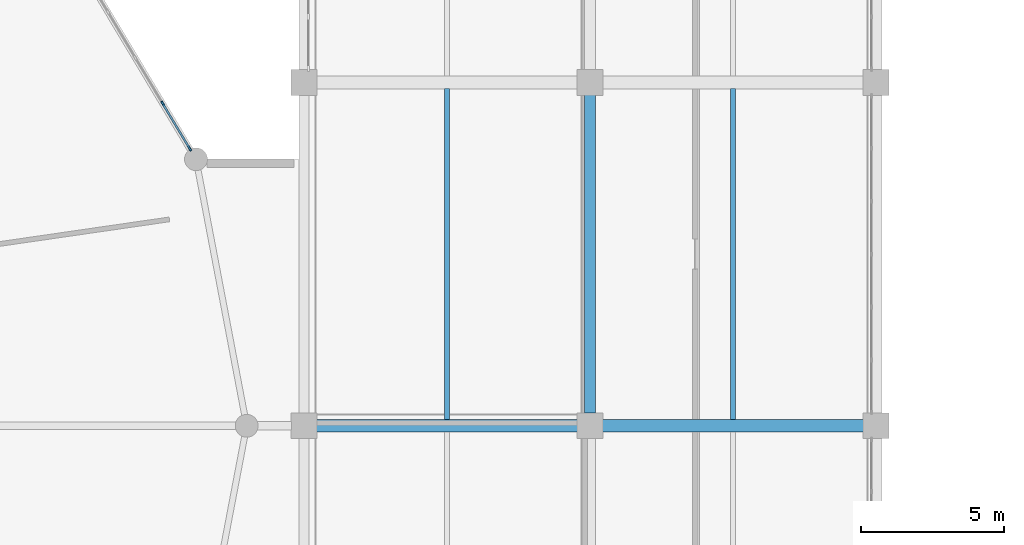
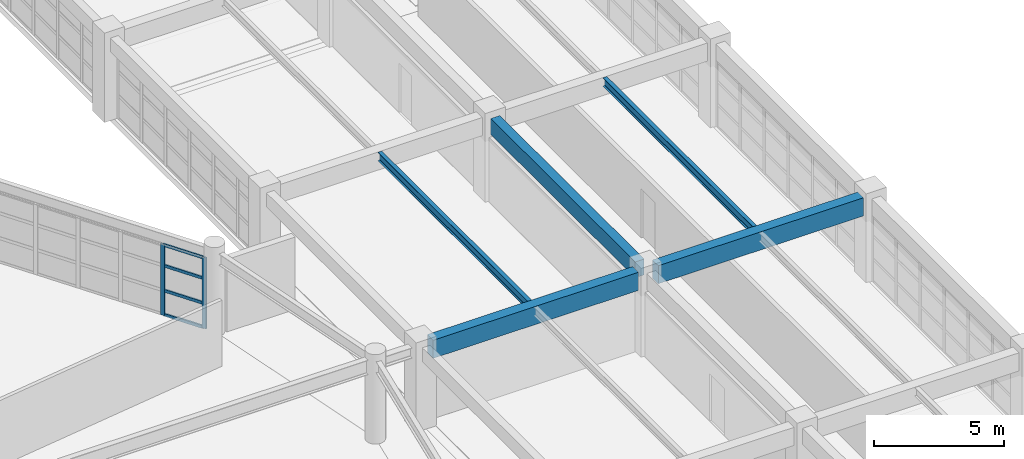
# One storey, part 43 of 100: 6 members, 5 beams, 1 element without a shape of its own.
"""IFC4 building model written with IfcOpenShell, lengths in metres."""

import ifcopenshell
import ifcopenshell.guid

model = None  # the IFC model being written
_history = None  # IfcOwnerHistory: only IFC2X3 demands one
_inside = {}  # id of a spatial element -> (the spatial element, [elements in it])
_under = {}  # id of a project, library or spatial element -> (it, [spatial elements below it])
_declared = {}  # id of a project -> (the project, [libraries it declares])
_typed = {}  # id of a type object -> (the type object, [elements of that type])
_made_of = {}  # id of a material, layer set ... -> (it, [elements and type objects made of it])


def new_model(schema):
    """Start an empty IFC model of exactly this schema.

    Asked for "IFC4X3", IfcOpenShell would pick the latest addendum, in which some entities
    have other attributes; the version numbers below select the first issue.
    IFC2X3 requires an IfcOwnerHistory on every rooted entity: one is made here for all.
    """
    global model, _history
    if schema == "IFC4X3":
        model = ifcopenshell.file(schema_version=(4, 3, 0, 0))
    else:
        model = ifcopenshell.file(schema=schema)
    _inside.clear()
    _under.clear()
    _declared.clear()
    _typed.clear()
    _made_of.clear()
    _history = None
    if model.schema == "IFC2X3":
        org = make("IfcOrganization", Name="unknown")
        user = make(
            "IfcPersonAndOrganization",
            ThePerson=make("IfcPerson", FamilyName="unknown"),
            TheOrganization=org,
        )
        app = make(
            "IfcApplication",
            ApplicationDeveloper=org,
            Version="unknown",
            ApplicationFullName="unknown",
            ApplicationIdentifier="unknown",
        )
        _history = make(
            "IfcOwnerHistory",
            OwningUser=user,
            OwningApplication=app,
            ChangeAction="ADDED",
            CreationDate=0,
        )
    return model


def make(cls, **values):
    """One entity of the class cls with the attributes given. An attribute that is None is left unset."""
    return model.create_entity(
        cls, **{name: value for name, value in values.items() if value is not None}
    )


def rooted(cls, **values):
    """An entity with a GlobalId (a new one), such as an element, a storey or a relation."""
    return make(cls, GlobalId=ifcopenshell.guid.new(), OwnerHistory=_history, **values)


def si_unit(unit_type, name, prefix=None):
    """IfcSIUnit, for example si_unit("LENGTHUNIT", "METRE", prefix="MILLI")."""
    return make("IfcSIUnit", UnitType=unit_type, Prefix=prefix, Name=name)


def assignment(units):
    """IfcUnitAssignment: the units of a project."""
    return None if units is None else make("IfcUnitAssignment", Units=units)


def point(xyz):
    """IfcCartesianPoint."""
    return None if xyz is None else make("IfcCartesianPoint", Coordinates=xyz)


def direction(xyz):
    """IfcDirection."""
    return None if xyz is None else make("IfcDirection", DirectionRatios=xyz)


def frame(location, z_axis=None, x_axis=None):
    """IfcAxis2Placement3D, a coordinate frame: its origin and axes. An axis left out is left unset."""
    return make(
        "IfcAxis2Placement3D",
        Location=point(location),
        Axis=direction(z_axis),
        RefDirection=direction(x_axis),
    )


def frame_2d(location, x_axis=None):
    """IfcAxis2Placement2D, a coordinate frame in the plane: its origin and x axis."""
    return make(
        "IfcAxis2Placement2D", Location=point(location), RefDirection=direction(x_axis)
    )


def origin():
    """The frame at (0, 0, 0) with its axes left unset."""
    return frame((0.0, 0.0, 0.0))


def origin_2d():
    """The frame at (0, 0) in the plane with its x axis left unset."""
    return frame_2d((0.0, 0.0))


def place(relative_to, where):
    """IfcLocalPlacement: puts the frame where relative to a parent placement (None: the world)."""
    return make(
        "IfcLocalPlacement", PlacementRelTo=relative_to, RelativePlacement=where
    )


def context(
    kind, dimensions, precision=None, world=None, true_north=None, identifier=None
):
    """IfcGeometricRepresentationContext, for example the 3D "Model" context."""
    return make(
        "IfcGeometricRepresentationContext",
        ContextIdentifier=identifier,
        ContextType=kind,
        CoordinateSpaceDimension=dimensions,
        Precision=precision,
        WorldCoordinateSystem=world,
        TrueNorth=true_north,
    )


def subcontext(parent, identifier, kind, view, scale=None):
    """IfcGeometricRepresentationSubContext, for example "Body" below "Model"."""
    return make(
        "IfcGeometricRepresentationSubContext",
        ContextIdentifier=identifier,
        ContextType=kind,
        ParentContext=parent,
        TargetScale=scale,
        TargetView=view,
    )


def project(units=None, contexts=None):
    """IfcProject with its units and contexts."""
    return rooted(
        "IfcProject",
        Name="project",
        RepresentationContexts=contexts,
        UnitsInContext=assignment(units),
    )


def spatial(cls, under=None, at=None, **own):
    """A site, building, storey or space (cls), placed at a placement, below another one or the project."""
    s = rooted(cls, ObjectPlacement=at, **own)
    if under is not None:
        _under.setdefault(under.id(), (under, []))[1].append(s)
    return s


def profile(cls, at=None, kind="AREA", **sizes):
    """A parametric profile (cls). Its sizes go by their IFC names, for example OverallWidth=200.0."""
    return make(cls, ProfileType=kind, Position=at, **sizes)


def rectangle(**sizes):
    """IfcRectangleProfileDef."""
    return profile("IfcRectangleProfileDef", **sizes)


def i_section(**sizes):
    """IfcIShapeProfileDef."""
    return profile("IfcIShapeProfileDef", **sizes)


def extrude(swept, where, along, depth):
    """IfcExtrudedAreaSolid: the profile swept, set in the frame where, extruded along a direction by depth."""
    return make(
        "IfcExtrudedAreaSolid",
        SweptArea=swept,
        Position=where,
        ExtrudedDirection=direction(along),
        Depth=depth,
    )


def shape(context_of_items, identifier, shape_type, items):
    """IfcShapeRepresentation: the items that make up one representation, for example the "Body"."""
    return make(
        "IfcShapeRepresentation",
        ContextOfItems=context_of_items,
        RepresentationIdentifier=identifier,
        RepresentationType=shape_type,
        Items=items,
    )


def material(Name=None, Category=None):
    """IfcMaterial."""
    return make("IfcMaterial", Name=Name, Category=Category)


def layer(
    of_material, thickness, ventilated=None, Name=None, Category=None, Priority=None
):
    """IfcMaterialLayer: one layer of a wall or slab, of a material (None: an air gap)."""
    return make(
        "IfcMaterialLayer",
        Material=of_material,
        LayerThickness=thickness,
        IsVentilated=ventilated,
        Name=Name,
        Category=Category,
        Priority=Priority,
    )


def layer_set(layers, Name=None):
    """IfcMaterialLayerSet."""
    return make("IfcMaterialLayerSet", MaterialLayers=layers, LayerSetName=Name)


def material_profile(
    of_material, cross_section, Name=None, Category=None, Priority=None
):
    """IfcMaterialProfile: a cross section and its material."""
    return make(
        "IfcMaterialProfile",
        Name=Name,
        Material=of_material,
        Profile=cross_section,
        Priority=Priority,
        Category=Category,
    )


def profile_set(profiles, Name=None, composite=None):
    """IfcMaterialProfileSet."""
    return make(
        "IfcMaterialProfileSet",
        Name=Name,
        MaterialProfiles=profiles,
        CompositeProfile=composite,
    )


def made_of(thing, what):
    """Note that an element or type object is made of a material, layer set ...; save() writes the relation."""
    if what is not None:
        _made_of.setdefault(what.id(), (what, []))[1].append(thing)
    return thing


def type_object(cls, material=None, **own):
    """A type object (cls), such as IfcWallType, which elements share."""
    return made_of(rooted(cls, **own), material)


def element(
    cls,
    number,
    at=None,
    inside=None,
    cuts=None,
    type_object=None,
    material=None,
    context=None,
    identifier="Body",
    shape_type=None,
    held_by="IfcProductDefinitionShape",
    body=None,
    shapes=None,
    **own,
):
    """One element of the class cls, such as IfcWall. Its Tag is "e" and its number.

    at: its placement. inside: the storey or other place that contains it. cuts: it is an
    opening in that element (IfcRelVoidsElement). A single representation is given by context,
    identifier, shape_type and body (its items); several are given by shapes. held_by: the class
    of the entity that holds the representations. save() writes the other relations.
    """
    e = rooted(cls, Tag="e%d" % number, ObjectPlacement=at, **own)
    if body is not None:
        shapes = [shape(context, identifier, shape_type, body)]
    if shapes is not None:
        e.Representation = make(held_by, Representations=shapes)
    if inside is not None:
        _inside.setdefault(inside.id(), (inside, []))[1].append(e)
    if cuts is not None:
        rooted(
            "IfcRelVoidsElement", RelatingBuildingElement=cuts, RelatedOpeningElement=e
        )
    if type_object is not None:
        _typed.setdefault(type_object.id(), (type_object, []))[1].append(e)
    return made_of(e, material)


def aggregate(whole, parts):
    """IfcRelAggregates: a whole, such as a stair, and the parts it consists of."""
    return rooted("IfcRelAggregates", RelatingObject=whole, RelatedObjects=parts)


def save(model, path):
    """Write the relations noted so far, then the file.

    IfcRelAggregates (storeys below a building ...), IfcRelContainedInSpatialStructure (elements
    in a storey), IfcRelDefinesByType, IfcRelAssociatesMaterial and IfcRelDeclares: one each for
    every whole, place, type object, material and project.
    """
    for whole, parts in _under.values():
        aggregate(whole, parts)
    for where, things in _inside.values():
        rooted(
            "IfcRelContainedInSpatialStructure",
            RelatedElements=things,
            RelatingStructure=where,
        )
    for kind, things in _typed.values():
        rooted("IfcRelDefinesByType", RelatedObjects=things, RelatingType=kind)
    for what, things in _made_of.values():
        rooted("IfcRelAssociatesMaterial", RelatedObjects=things, RelatingMaterial=what)
    for by, libraries in _declared.values():
        rooted("IfcRelDeclares", RelatingContext=by, RelatedDefinitions=libraries)
    model.write(path)


model = new_model("IFC4")

# Units and contexts
model_context = context("Model", 3, precision=1e-05, world=origin(), true_north=direction((0.0, 1.0)))
body_context = subcontext(model_context, "Body", "Model", "MODEL_VIEW")
ifc_project = project(units=[si_unit("LENGTHUNIT", "METRE"), si_unit("AREAUNIT", "SQUARE_METRE"), si_unit("VOLUMEUNIT", "CUBIC_METRE"), si_unit("PLANEANGLEUNIT", "RADIAN"), si_unit("MASSUNIT", "GRAM", prefix="KILO")], contexts=[model_context])

# Site, building, storey
site_placement = place(None, origin())
site = spatial("IfcSite", under=ifc_project, at=site_placement, CompositionType="ELEMENT")
building_placement = place(site_placement, origin())
building = spatial("IfcBuilding", under=site, at=building_placement, Name="Kivolera Central Railway Station", CompositionType="ELEMENT")
storey_placement = place(building_placement, frame((0.0, 0.0, 5.39990234375)))
storey = spatial("IfcBuildingStorey", under=building, at=storey_placement, Name="L01", CompositionType="ELEMENT", Elevation=5.39990234375)

# Beams
ifc_material_1 = material(Name="Steel S355", Category="steel")
ifc_material_profile_1 = material_profile(ifc_material_1, i_section(OverallWidth=0.179931640625, OverallDepth=0.39990234375, WebThickness=0.008544921875, FlangeThickness=0.013427734375, FilletRadius=0.02099609375, at=origin_2d()), Name="IPE 400")
ifc_profile_set_1 = profile_set([ifc_material_profile_1], Name="Steel S355")
beam_type_1 = type_object("IfcBeamType", Name="BM-JST-IPE400", PredefinedType="JOIST", material=ifc_profile_set_1)
for number, where, z_axis, x_axis, name in (
    (1, (123.0, 90.217041015625, 3.668212890625), (0.0, 1.0, 0.0), (-1.0, 0.0, 0.0), "L01 Floor Joist 12-13/H-J"),
    (2, (133.0, 90.217041015625, 3.668212890625), (0.0, 1.0, 0.0), (-1.0, 0.0, 0.0), "L01 Floor Joist 13-14/H-J"),
):
    element("IfcBeam", number, at=place(storey_placement, frame(where, z_axis=z_axis, x_axis=x_axis)), inside=storey, type_object=beam_type_1, Name=name, PredefinedType="JOIST", context=body_context, shape_type="SweptSolid", body=[
        extrude(i_section(OverallWidth=0.179931640625, OverallDepth=0.39990234375, WebThickness=0.008544921875, FlangeThickness=0.013427734375, FilletRadius=0.02099609375, at=origin_2d()), origin(), (0.0, 0.0, 1.0), 11.56591796875),
    ])
ifc_material_2 = material(Name="Concrete C40/50", Category="concrete")
ifc_material_profile_2 = material_profile(ifc_material_2, rectangle(XDim=0.39990234375, YDim=0.75, at=origin_2d()), Name="RC 400x750")
ifc_profile_set_2 = profile_set([ifc_material_profile_2], Name="Concrete C40/50")
beam_type_2 = type_object("IfcBeamType", Name="BM-RC-400x750", PredefinedType="BEAM", material=ifc_profile_set_2)
beam_placement = place(storey_placement, frame((128.0, 90.44189453125, 3.505126953125), z_axis=(0.0, 1.0, 0.0), x_axis=(-1.0, 0.0, 0.0)))
element("IfcBeam", 3, at=beam_placement, inside=storey, type_object=beam_type_2, Name="L01 Wing Y-Beam 13:H-J", PredefinedType="BEAM", context=body_context, shape_type="SweptSolid", body=[
    extrude(rectangle(XDim=0.39990234375, YDim=0.75, at=origin_2d()), origin(), (0.0, 0.0, 1.0), 11.1162109375),
])
ifc_material_profile_3 = material_profile(ifc_material_2, rectangle(XDim=0.449951171875, YDim=0.85009765625, at=origin_2d()), Name="RC 450x850")
ifc_profile_set_3 = profile_set([ifc_material_profile_3], Name="Concrete C40/50")
beam_type_3 = type_object("IfcBeamType", Name="BM-RC-450x850", PredefinedType="BEAM", material=ifc_profile_set_3)
for number, where, z_axis, x_axis, name in (
    (4, (118.44189453125, 90.0, 3.455078125), (1.0, 0.0, 0.0), (0.0, 1.0, 0.0), "L01 Wing X-Beam H:12-13"),
    (5, (128.44189453125, 90.0, 3.455078125), (1.0, 0.0, 0.0), (0.0, 1.0, 0.0), "L01 Wing X-Beam H:13-14"),
):
    element("IfcBeam", number, at=place(storey_placement, frame(where, z_axis=z_axis, x_axis=x_axis)), inside=storey, type_object=beam_type_3, Name=name, PredefinedType="BEAM", context=body_context, shape_type="SweptSolid", body=[
        extrude(rectangle(XDim=0.449951171875, YDim=0.85009765625, at=origin_2d()), origin(), (0.0, 0.0, 1.0), 9.1162109375),
    ])

# Curtain wall, members
ifc_material_3 = material(Name="Anodised aluminium", Category="aluminium")
ifc_layer = layer(ifc_material_3, 0.179931640625, Name="Anodised aluminium")
ifc_layer_set = layer_set([ifc_layer], Name="Anodised aluminium")
curtain_wall_type = type_object("IfcCurtainWallType", Name="CW-SYS-02", PredefinedType="NOTDEFINED", material=ifc_layer_set)
curtain_wall_placement = place(storey_placement, origin())
curtain_wall = element("IfcCurtainWall", 6, at=curtain_wall_placement, inside=storey, type_object=curtain_wall_type, Name="L01 Curtain Wall CW-L01-OVL-01", PredefinedType="NOTDEFINED")
ifc_material_profile_4 = material_profile(ifc_material_3, rectangle(XDim=0.070068359375, YDim=0.179931640625, at=origin_2d()), Name="ALU MULL 70x180")
ifc_profile_set_4 = profile_set([ifc_material_profile_4], Name="Anodised aluminium")
member_type_1 = type_object("IfcMemberType", Name="CWM-MUL-1", PredefinedType="MULLION", material=ifc_profile_set_4)
member_1_placement = place(storey_placement, frame((113.06591796875, 101.259521484375, -0.0048828125), z_axis=(0.0, 0.0, 1.0), x_axis=(0.858117186396, 0.513453887327, 0.0)))
member_1 = element("IfcMember", 7, at=member_1_placement, type_object=member_type_1, Name="CW-02 mullion 5", PredefinedType="MULLION", context=body_context, shape_type="SweptSolid", body=[
    extrude(rectangle(XDim=0.070068359375, YDim=0.179931640625, at=origin_2d()), origin(), (0.0, 0.0, 1.0), 3.344970703125),
])
member_2_placement = place(storey_placement, frame((114.005126953125, 99.68994140625, -0.0048828125), z_axis=(0.0, 0.0, 1.0), x_axis=(0.858117186396, 0.513453887327, 0.0)))
member_2 = element("IfcMember", 8, at=member_2_placement, type_object=member_type_1, Name="CW-02 mullion 6", PredefinedType="MULLION", context=body_context, shape_type="SweptSolid", body=[
    extrude(rectangle(XDim=0.070068359375, YDim=0.179931640625, at=origin_2d()), origin(), (0.0, 0.0, 1.0), 3.344970703125),
])
ifc_material_profile_5 = material_profile(ifc_material_3, rectangle(XDim=0.070068359375, YDim=0.139892578125, at=origin_2d()), Name="ALU TRAN 70x140")
ifc_profile_set_5 = profile_set([ifc_material_profile_5], Name="Anodised aluminium")
member_type_2 = type_object("IfcMemberType", Name="CWM-TRN-1", PredefinedType="USERDEFINED", material=ifc_profile_set_5)
member_3_placement = place(storey_placement, frame((113.083984375, 101.229248046875, 0.03515625), z_axis=(0.513454309114, -0.85811693402, 0.0), x_axis=(0.85811693402, 0.513454309114, 0.0)))
member_3 = element("IfcMember", 9, at=member_3_placement, type_object=member_type_2, Name="CW-02 transom 5.1", ObjectType="TRANSOM", PredefinedType="USERDEFINED", context=body_context, shape_type="SweptSolid", body=[
    extrude(rectangle(XDim=0.070068359375, YDim=0.139892578125, at=origin_2d()), origin(), (0.0, 0.0, 1.0), 1.7587890625),
])
member_4_placement = place(storey_placement, frame((113.083984375, 101.229248046875, 1.169189453125), z_axis=(0.513454309114, -0.85811693402, 0.0), x_axis=(0.85811693402, 0.513454309114, 0.0)))
member_4 = element("IfcMember", 10, at=member_4_placement, type_object=member_type_2, Name="CW-02 transom 5.2", ObjectType="TRANSOM", PredefinedType="USERDEFINED", context=body_context, shape_type="SweptSolid", body=[
    extrude(rectangle(XDim=0.070068359375, YDim=0.139892578125, at=origin_2d()), origin(), (0.0, 0.0, 1.0), 1.7587890625),
])
member_5_placement = place(storey_placement, frame((113.083984375, 101.229248046875, 2.338134765625), z_axis=(0.513454309114, -0.85811693402, 0.0), x_axis=(0.85811693402, 0.513454309114, 0.0)))
member_5 = element("IfcMember", 11, at=member_5_placement, type_object=member_type_2, Name="CW-02 transom 5.3", ObjectType="TRANSOM", PredefinedType="USERDEFINED", context=body_context, shape_type="SweptSolid", body=[
    extrude(rectangle(XDim=0.070068359375, YDim=0.139892578125, at=origin_2d()), origin(), (0.0, 0.0, 1.0), 1.7587890625),
])
member_6_placement = place(storey_placement, frame((113.083984375, 101.229248046875, 3.30517578125), z_axis=(0.513454309114, -0.85811693402, 0.0), x_axis=(0.85811693402, 0.513454309114, 0.0)))
member_6 = element("IfcMember", 12, at=member_6_placement, type_object=member_type_2, Name="CW-02 transom 5.4", ObjectType="TRANSOM", PredefinedType="USERDEFINED", context=body_context, shape_type="SweptSolid", body=[
    extrude(rectangle(XDim=0.070068359375, YDim=0.139892578125, at=origin_2d()), origin(), (0.0, 0.0, 1.0), 1.7587890625),
])
aggregate(curtain_wall, [member_1, member_2, member_3, member_4, member_5, member_6])

save(model, "model.ifc")
